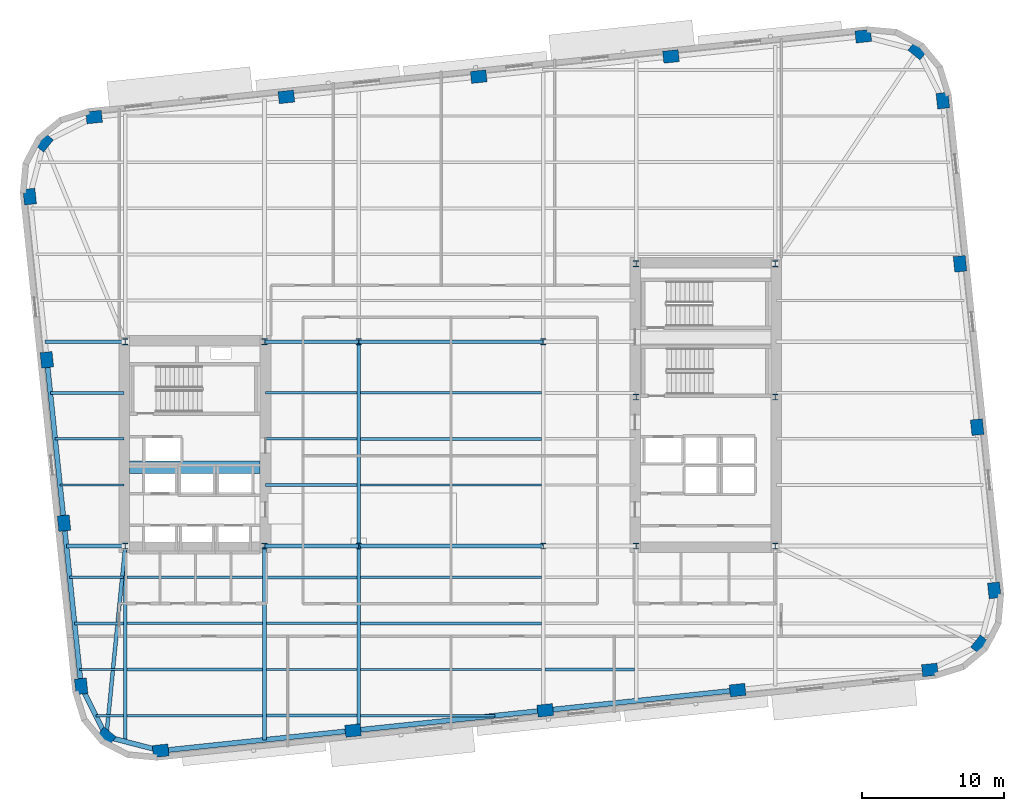
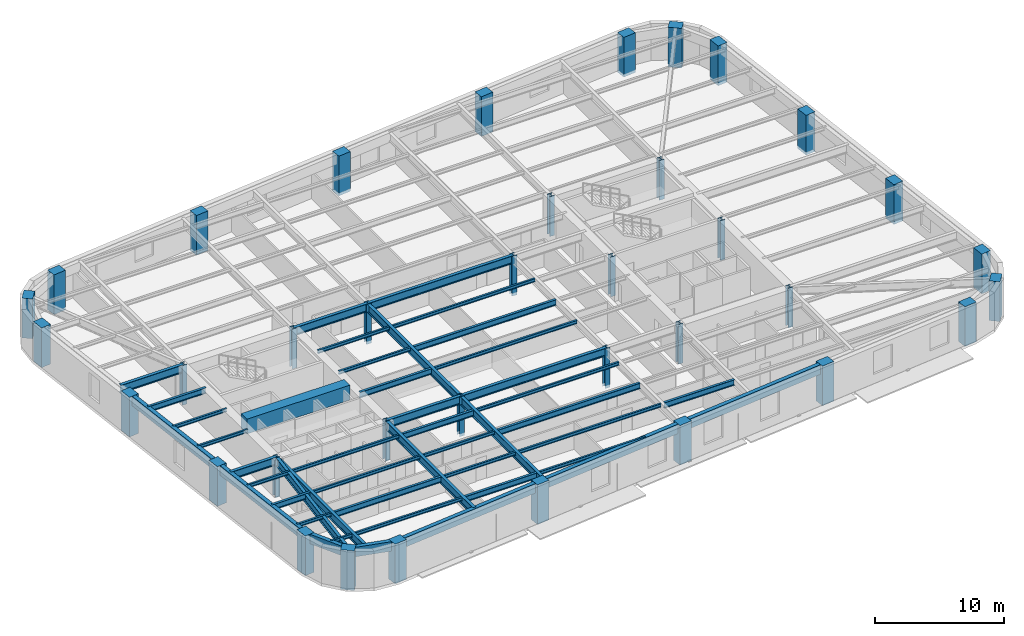
# One storey, part 1 of 11: 45 beams, 36 columns.
"""IFC4 building model written with IfcOpenShell, lengths in metres."""

from ifc_helpers import new_model, si_unit, direction, frame, origin, origin_2d, place, context, subcontext, project, spatial, rectangle, hollow_rectangle, i_section, extrude, material, material_profile, profile_set, type_object, element, save


model = new_model("IFC4")

# Units and contexts
model_context = context("Model", 3, precision=1e-05, world=origin(), true_north=direction((0.0, 1.0)))
body_context = subcontext(model_context, "Body", "Model", "MODEL_VIEW")
ifc_project = project(units=[si_unit("LENGTHUNIT", "METRE"), si_unit("AREAUNIT", "SQUARE_METRE"), si_unit("VOLUMEUNIT", "CUBIC_METRE"), si_unit("PLANEANGLEUNIT", "RADIAN"), si_unit("MASSUNIT", "GRAM", prefix="KILO")], contexts=[model_context])

# Site, building, storey
site_placement = place(None, origin())
site = spatial("IfcSite", under=ifc_project, at=site_placement, CompositionType="ELEMENT")
building_placement = place(site_placement, origin())
building = spatial("IfcBuilding", under=site, at=building_placement, Name="Kolvaren Arena Tower", CompositionType="ELEMENT")
storey_placement = place(building_placement, frame((0.0, 0.0, 134.5)))
storey = spatial("IfcBuildingStorey", under=building, at=storey_placement, Name="L31", CompositionType="ELEMENT", Elevation=134.5)

# Columns
ifc_material_1 = material(Name="Precast concrete C70/85", Category="concrete")
ifc_material_profile_1 = material_profile(ifc_material_1, rectangle(XDim=1.10009765625, YDim=0.85009765625, at=origin_2d()), Name="RC-1100x850")
ifc_profile_set_1 = profile_set([ifc_material_profile_1], Name="Precast concrete C70/85")
column_type_1 = type_object("IfcColumnType", Name="EXCOL-Z2", PredefinedType="COLUMN", material=ifc_profile_set_1)
for number, where, z_axis, x_axis, name in (
    (1, (17.0458984375, 5.024658203125, -0.27001953125), (0.0, 0.0, 1.0), (0.994521895368, 0.104528463268, 0.0), "Exoskeleton Perimeter Column 01 (L31)"),
    (2, (30.59619140625, 6.44873046875, -0.27001953125), (0.0, 0.0, 1.0), (0.994521895368, 0.104528463268, 0.0), "Exoskeleton Perimeter Column 02 (L31)"),
    (3, (44.146728515625, 7.873046875, -0.27001953125), (0.0, 0.0, 1.0), (0.994521895368, 0.104528463268, 0.0), "Exoskeleton Perimeter Column 03 (L31)"),
    (4, (57.697021484375, 9.297119140625, -0.27001953125), (0.0, 0.0, 1.0), (0.994521895368, 0.104528463268, 0.0), "Exoskeleton Perimeter Column 04 (L31)"),
    (5, (71.247314453125, 10.721435546875, -0.27001953125), (0.0, 0.0, 1.0), (0.994521895368, 0.104528463268, 0.0), "Exoskeleton Perimeter Column 05 (L31)"),
    (6, (74.790283203125, 12.49267578125, -0.27001953125), (0.0, 0.0, 1.0), (0.62932039105, 0.777145961457, 0.0), "Exoskeleton Perimeter Column 06 (L31)"),
    (7, (75.786376953125, 16.326416015625, -0.27001953125), (0.0, 0.0, 1.0), (-0.104528463268, 0.994521895368, 0.0), "Exoskeleton Perimeter Column 07 (L31)"),
    (8, (74.577392578125, 27.829833984375, -0.27001953125), (0.0, 0.0, 1.0), (-0.104528463268, 0.994521895368, 0.0), "Exoskeleton Perimeter Column 08 (L31)"),
    (9, (73.368408203125, 39.3330078125, -0.27001953125), (0.0, 0.0, 1.0), (-0.104528463268, 0.994521895368, 0.0), "Exoskeleton Perimeter Column 09 (L31)"),
    (10, (72.1591796875, 50.83642578125, -0.27001953125), (0.0, 0.0, 1.0), (-0.104528463268, 0.994521895368, 0.0), "Exoskeleton Perimeter Column 10 (L31)"),
    (11, (70.387939453125, 54.37939453125, -0.27001953125), (0.0, 0.0, 1.0), (-0.777145961457, 0.62932039105, 0.0), "Exoskeleton Perimeter Column 11 (L31)"),
    (12, (66.55419921875, 55.37548828125, -0.27001953125), (0.0, 0.0, 1.0), (0.994521895368, 0.104528463268, 0.0), "Exoskeleton Perimeter Column 12 (L31)"),
    (13, (53.003662109375, 53.951171875, -0.27001953125), (0.0, 0.0, 1.0), (0.994521895368, 0.104528463268, 0.0), "Exoskeleton Perimeter Column 13 (L31)"),
    (14, (39.453369140625, 52.527099609375, -0.27001953125), (0.0, 0.0, 1.0), (0.994521895368, 0.104528463268, 0.0), "Exoskeleton Perimeter Column 14 (L31)"),
    (15, (25.903076171875, 51.102783203125, -0.27001953125), (0.0, 0.0, 1.0), (0.994521895368, 0.104528463268, 0.0), "Exoskeleton Perimeter Column 15 (L31)"),
    (16, (12.3525390625, 49.6787109375, -0.27001953125), (0.0, 0.0, 1.0), (0.994521895368, 0.104528463268, 0.0), "Exoskeleton Perimeter Column 16 (L31)"),
    (17, (8.8095703125, 47.9072265625, -0.27001953125), (0.0, 0.0, 1.0), (0.62932039105, 0.777145961457, 0.0), "Exoskeleton Perimeter Column 17 (L31)"),
    (18, (7.813720703125, 44.073486328125, -0.27001953125), (0.0, 0.0, 1.0), (-0.104528463268, 0.994521895368, 0.0), "Exoskeleton Perimeter Column 18 (L31)"),
    (19, (9.022705078125, 32.5703125, -0.27001953125), (0.0, 0.0, 1.0), (-0.104528463268, 0.994521895368, 0.0), "Exoskeleton Perimeter Column 19 (L31)"),
    (20, (10.231689453125, 21.06689453125, -0.27001953125), (0.0, 0.0, 1.0), (-0.104528463268, 0.994521895368, 0.0), "Exoskeleton Perimeter Column 20 (L31)"),
    (21, (11.44091796875, 9.5634765625, -0.27001953125), (0.0, 0.0, 1.0), (-0.104528463268, 0.994521895368, 0.0), "Exoskeleton Perimeter Column 21 (L31)"),
    (22, (13.212158203125, 6.0205078125, -0.27001953125), (0.0, 0.0, 1.0), (-0.777145961457, 0.62932039105, 0.0), "Exoskeleton Perimeter Column 22 (L31)"),
):
    element("IfcColumn", number, at=place(storey_placement, frame(where, z_axis=z_axis, x_axis=x_axis)), inside=storey, type_object=column_type_1, Name=name, PredefinedType="COLUMN", context=body_context, shape_type="SweptSolid", body=[
        extrude(rectangle(XDim=1.10009765625, YDim=0.85009765625, at=origin_2d()), origin(), (0.0, 0.0, 1.0), 3.75),
    ])
ifc_material_2 = material(Name="Steel ASTM A913 Grade 65", Category="steel")
ifc_material_profile_2 = material_profile(ifc_material_2, i_section(OverallWidth=0.416015625, OverallDepth=0.446044921875, WebThickness=0.0390625, FlangeThickness=0.062744140625, FilletRadius=0.02001953125, at=origin_2d()), Name="W360x509")
ifc_profile_set_2 = profile_set([ifc_material_profile_2], Name="Steel ASTM A913 Grade 65")
column_type_2 = type_object("IfcColumnType", Name="SCOL-Z2", PredefinedType="COLUMN", material=ifc_profile_set_2)
for number, where, z_axis, x_axis, name in (
    (23, (14.550048828125, 19.449951171875, -0.27001953125), (0.0, 0.0, 1.0), (1.0, 0.0, 0.0), "Core Boundary Column WC-SW (L31)"),
    (24, (24.35009765625, 19.449951171875, -0.27001953125), (0.0, 0.0, 1.0), (1.0, 0.0, 0.0), "Core Boundary Column WC-SE (L31)"),
    (25, (14.550048828125, 33.85009765625, -0.27001953125), (0.0, 0.0, 1.0), (1.0, 0.0, 0.0), "Core Boundary Column WC-NW (L31)"),
    (26, (24.35009765625, 33.85009765625, -0.27001953125), (0.0, 0.0, 1.0), (1.0, 0.0, 0.0), "Core Boundary Column WC-NE (L31)"),
    (27, (50.550048828125, 19.449951171875, -0.27001953125), (0.0, 0.0, 1.0), (1.0, 0.0, 0.0), "Core Boundary Column EC-SW (L31)"),
    (28, (60.35009765625, 19.449951171875, -0.27001953125), (0.0, 0.0, 1.0), (1.0, 0.0, 0.0), "Core Boundary Column EC-SE (L31)"),
    (29, (50.550048828125, 29.949951171875, -0.27001953125), (0.0, 0.0, 1.0), (1.0, 0.0, 0.0), "Core Boundary Column EC-MW (L31)"),
    (30, (60.35009765625, 29.949951171875, -0.27001953125), (0.0, 0.0, 1.0), (1.0, 0.0, 0.0), "Core Boundary Column EC-ME (L31)"),
    (31, (50.550048828125, 39.35009765625, -0.27001953125), (0.0, 0.0, 1.0), (1.0, 0.0, 0.0), "Core Boundary Column EC-NW (L31)"),
    (32, (60.35009765625, 39.35009765625, -0.27001953125), (0.0, 0.0, 1.0), (1.0, 0.0, 0.0), "Core Boundary Column EC-NE (L31)"),
    (33, (31.0, 19.449951171875, -0.27001953125), (0.0, 0.0, 1.0), (1.0, 0.0, 0.0), "Interior Gravity Column TC-SW (L31)"),
    (34, (44.0, 19.449951171875, -0.27001953125), (0.0, 0.0, 1.0), (1.0, 0.0, 0.0), "Interior Gravity Column TC-SE (L31)"),
    (35, (31.0, 33.85009765625, -0.27001953125), (0.0, 0.0, 1.0), (1.0, 0.0, 0.0), "Interior Gravity Column TC-NW (L31)"),
    (36, (44.0, 33.85009765625, -0.27001953125), (0.0, 0.0, 1.0), (1.0, 0.0, 0.0), "Interior Gravity Column TC-NE (L31)"),
):
    element("IfcColumn", number, at=place(storey_placement, frame(where, z_axis=z_axis, x_axis=x_axis)), inside=storey, type_object=column_type_2, Name=name, PredefinedType="COLUMN", context=body_context, shape_type="SweptSolid", body=[
        extrude(i_section(OverallWidth=0.416015625, OverallDepth=0.446044921875, WebThickness=0.0390625, FlangeThickness=0.062744140625, FilletRadius=0.02001953125, at=origin_2d()), origin(), (0.0, 0.0, 1.0), 3.75),
    ])

# Beams
ifc_material_3 = material(Name="Steel CSA G40.21 350W", Category="steel")
ifc_material_profile_3 = material_profile(ifc_material_3, i_section(OverallWidth=0.2119140625, OverallDepth=0.54296875, WebThickness=0.01318359375, FlangeThickness=0.0244140625, FilletRadius=0.013916015625, at=origin_2d()), Name="W530x150")
ifc_profile_set_3 = profile_set([ifc_material_profile_3], Name="Steel CSA G40.21 350W")
beam_type_1 = type_object("IfcBeamType", Name="BEAM-F1", PredefinedType="BEAM", material=ifc_profile_set_3)
beam_1_placement = place(storey_placement, frame((24.485107421875, 7.5, 3.20849609375), z_axis=(1.0, 0.0, 0.0), x_axis=(0.0, 1.0, 0.0)))
element("IfcBeam", 37, at=beam_1_placement, inside=storey, type_object=beam_type_1, Name="Composite Floor Beam (L31)", PredefinedType="BEAM", context=body_context, shape_type="SweptSolid", body=[
    extrude(i_section(OverallWidth=0.2119140625, OverallDepth=0.54296875, WebThickness=0.01318359375, FlangeThickness=0.0244140625, FilletRadius=0.013916015625, at=origin_2d()), origin(), (0.0, 0.0, 1.0), 6.3798828125),
])
beam_2_placement = place(storey_placement, frame((14.68505859375, 10.75, 3.20849609375), z_axis=(1.0, 0.0, 0.0), x_axis=(0.0, 1.0, 0.0)))
element("IfcBeam", 38, at=beam_2_placement, inside=storey, type_object=beam_type_1, Name="Composite Floor Beam (L31)", PredefinedType="BEAM", context=body_context, shape_type="SweptSolid", body=[
    extrude(i_section(OverallWidth=0.2119140625, OverallDepth=0.54296875, WebThickness=0.01318359375, FlangeThickness=0.0244140625, FilletRadius=0.013916015625, at=origin_2d()), origin(), (0.0, 0.0, 1.0), 9.530029296875),
])
beam_3_placement = place(storey_placement, frame((44.135009765625, 10.75, 3.20849609375), z_axis=(1.0, 0.0, 0.0), x_axis=(0.0, 1.0, 0.0)))
element("IfcBeam", 39, at=beam_3_placement, inside=storey, type_object=beam_type_1, Name="Composite Floor Beam (L31)", PredefinedType="BEAM", context=body_context, shape_type="SweptSolid", body=[
    extrude(i_section(OverallWidth=0.2119140625, OverallDepth=0.54296875, WebThickness=0.01318359375, FlangeThickness=0.0244140625, FilletRadius=0.013916015625, at=origin_2d()), origin(), (0.0, 0.0, 1.0), 6.280029296875),
])
beam_4_placement = place(storey_placement, frame((10.974609375, 14.0, 3.20849609375), z_axis=(1.0, 0.0, 0.0), x_axis=(0.0, 1.0, 0.0)))
element("IfcBeam", 40, at=beam_4_placement, inside=storey, type_object=beam_type_1, Name="Composite Floor Beam (L31)", PredefinedType="BEAM", context=body_context, shape_type="SweptSolid", body=[
    extrude(i_section(OverallWidth=0.2119140625, OverallDepth=0.54296875, WebThickness=0.01318359375, FlangeThickness=0.0244140625, FilletRadius=0.013916015625, at=origin_2d()), origin(), (0.0, 0.0, 1.0), 3.4404296875),
])
beam_5_placement = place(storey_placement, frame((31.135009765625, 14.0, 3.20849609375), z_axis=(1.0, 0.0, 0.0), x_axis=(0.0, 1.0, 0.0)))
element("IfcBeam", 41, at=beam_5_placement, inside=storey, type_object=beam_type_1, Name="Composite Floor Beam (L31)", PredefinedType="BEAM", context=body_context, shape_type="SweptSolid", body=[
    extrude(i_section(OverallWidth=0.2119140625, OverallDepth=0.54296875, WebThickness=0.01318359375, FlangeThickness=0.0244140625, FilletRadius=0.013916015625, at=origin_2d()), origin(), (0.0, 0.0, 1.0), 12.72998046875),
])
beam_6_placement = place(storey_placement, frame((24.485107421875, 17.25, 3.20849609375), z_axis=(1.0, 0.0, 0.0), x_axis=(0.0, 1.0, 0.0)))
element("IfcBeam", 42, at=beam_6_placement, inside=storey, type_object=beam_type_1, Name="Composite Floor Beam (L31)", PredefinedType="BEAM", context=body_context, shape_type="SweptSolid", body=[
    extrude(i_section(OverallWidth=0.2119140625, OverallDepth=0.54296875, WebThickness=0.01318359375, FlangeThickness=0.0244140625, FilletRadius=0.013916015625, at=origin_2d()), origin(), (0.0, 0.0, 1.0), 6.3798828125),
])
beam_7_placement = place(storey_placement, frame((24.445068359375, 23.75, 3.20849609375), z_axis=(1.0, 0.0, 0.0), x_axis=(0.0, 1.0, 0.0)))
element("IfcBeam", 43, at=beam_7_placement, inside=storey, type_object=beam_type_1, Name="Composite Floor Beam (L31)", PredefinedType="BEAM", context=body_context, shape_type="SweptSolid", body=[
    extrude(i_section(OverallWidth=0.2119140625, OverallDepth=0.54296875, WebThickness=0.01318359375, FlangeThickness=0.0244140625, FilletRadius=0.013916015625, at=origin_2d()), origin(), (0.0, 0.0, 1.0), 6.419921875),
])
beam_8_placement = place(storey_placement, frame((31.135009765625, 27.0, 3.20849609375), z_axis=(1.0, 0.0, 0.0), x_axis=(0.0, 1.0, 0.0)))
element("IfcBeam", 44, at=beam_8_placement, inside=storey, type_object=beam_type_1, Name="Composite Floor Beam (L31)", PredefinedType="BEAM", context=body_context, shape_type="SweptSolid", body=[
    extrude(i_section(OverallWidth=0.2119140625, OverallDepth=0.54296875, WebThickness=0.01318359375, FlangeThickness=0.0244140625, FilletRadius=0.013916015625, at=origin_2d()), origin(), (0.0, 0.0, 1.0), 12.72998046875),
])
beam_9_placement = place(storey_placement, frame((9.2666015625, 30.25, 3.20849609375), z_axis=(1.0, 0.0, 0.0), x_axis=(0.0, 1.0, 0.0)))
element("IfcBeam", 45, at=beam_9_placement, inside=storey, type_object=beam_type_1, Name="Composite Floor Beam (L31)", PredefinedType="BEAM", context=body_context, shape_type="SweptSolid", body=[
    extrude(i_section(OverallWidth=0.2119140625, OverallDepth=0.54296875, WebThickness=0.01318359375, FlangeThickness=0.0244140625, FilletRadius=0.013916015625, at=origin_2d()), origin(), (0.0, 0.0, 1.0), 5.1884765625),
])
ifc_material_4 = material(Name="Concrete 75 MPa", Category="concrete")
ifc_material_profile_4 = material_profile(ifc_material_4, rectangle(XDim=0.89990234375, YDim=1.39990234375, at=origin_2d()), Name="RC-900x1400")
ifc_profile_set_4 = profile_set([ifc_material_profile_4], Name="Concrete 75 MPa")
beam_type_2 = type_object("IfcBeamType", Name="CB-CORE-1", PredefinedType="BEAM", material=ifc_profile_set_4)
beam_10_placement = place(storey_placement, frame((14.85009765625, 25.0, 3.050048828125), z_axis=(1.0, 0.0, 0.0), x_axis=(0.0, 1.0, 0.0)))
element("IfcBeam", 46, at=beam_10_placement, inside=storey, type_object=beam_type_2, Name="West Core Coupling Beam (L31)", PredefinedType="BEAM", context=body_context, shape_type="SweptSolid", body=[
    extrude(rectangle(XDim=0.89990234375, YDim=1.39990234375, at=origin_2d()), origin(), (0.0, 0.0, 1.0), 9.199951171875),
])
ifc_material_profile_5 = material_profile(ifc_material_3, i_section(OverallWidth=0.27001953125, OverallDepth=0.77294921875, WebThickness=0.019287109375, FlangeThickness=0.033447265625, FilletRadius=0.01806640625, at=origin_2d()), Name="W760x257")
ifc_profile_set_5 = profile_set([ifc_material_profile_5], Name="Steel CSA G40.21 350W")
beam_type_3 = type_object("IfcBeamType", Name="GIRD-T1", PredefinedType="BEAM", material=ifc_profile_set_5)
beam_11_placement = place(storey_placement, frame((13.212158203125, 6.0205078125, 3.093505859375), z_axis=(0.099132957575, 0.995074196592, 0.0), x_axis=(-0.995074196592, 0.099132957575, 0.0)))
element("IfcBeam", 47, at=beam_11_placement, inside=storey, type_object=beam_type_3, Name="Corner Diagonal Tie Girder (L31)", PredefinedType="BEAM", context=body_context, shape_type="SweptSolid", body=[
    extrude(i_section(OverallWidth=0.27001953125, OverallDepth=0.77294921875, WebThickness=0.019287109375, FlangeThickness=0.033447265625, FilletRadius=0.01806640625, at=origin_2d()), origin(), (0.0, 0.0, 1.0), 13.495849609375),
])
beam_12_placement = place(storey_placement, frame((10.401611328125, 19.449951171875, 3.093505859375), z_axis=(1.0, 0.0, 0.0), x_axis=(0.0, 1.0, 0.0)))
element("IfcBeam", 48, at=beam_12_placement, inside=storey, type_object=beam_type_3, Name="Primary Floor Girder (L31)", PredefinedType="BEAM", context=body_context, shape_type="SweptSolid", body=[
    extrude(i_section(OverallWidth=0.27001953125, OverallDepth=0.77294921875, WebThickness=0.019287109375, FlangeThickness=0.033447265625, FilletRadius=0.01806640625, at=origin_2d()), origin(), (0.0, 0.0, 1.0), 4.093505859375),
])
beam_13_placement = place(storey_placement, frame((24.405029296875, 19.449951171875, 3.093505859375), z_axis=(1.0, 0.0, 0.0), x_axis=(0.0, 1.0, 0.0)))
element("IfcBeam", 49, at=beam_13_placement, inside=storey, type_object=beam_type_3, Name="Primary Floor Girder (L31)", PredefinedType="BEAM", context=body_context, shape_type="SweptSolid", body=[
    extrude(i_section(OverallWidth=0.27001953125, OverallDepth=0.77294921875, WebThickness=0.019287109375, FlangeThickness=0.033447265625, FilletRadius=0.01806640625, at=origin_2d()), origin(), (0.0, 0.0, 1.0), 6.594970703125),
])
beam_14_placement = place(storey_placement, frame((31.0, 19.449951171875, 3.093505859375), z_axis=(1.0, 0.0, 0.0), x_axis=(0.0, 1.0, 0.0)))
element("IfcBeam", 50, at=beam_14_placement, inside=storey, type_object=beam_type_3, Name="Primary Floor Girder (L31)", PredefinedType="BEAM", context=body_context, shape_type="SweptSolid", body=[
    extrude(i_section(OverallWidth=0.27001953125, OverallDepth=0.77294921875, WebThickness=0.019287109375, FlangeThickness=0.033447265625, FilletRadius=0.01806640625, at=origin_2d()), origin(), (0.0, 0.0, 1.0), 13.0),
])
beam_15_placement = place(storey_placement, frame((8.88818359375, 33.85009765625, 3.093505859375), z_axis=(1.0, 0.0, 0.0), x_axis=(0.0, 1.0, 0.0)))
element("IfcBeam", 51, at=beam_15_placement, inside=storey, type_object=beam_type_3, Name="Primary Floor Girder (L31)", PredefinedType="BEAM", context=body_context, shape_type="SweptSolid", body=[
    extrude(i_section(OverallWidth=0.27001953125, OverallDepth=0.77294921875, WebThickness=0.019287109375, FlangeThickness=0.033447265625, FilletRadius=0.01806640625, at=origin_2d()), origin(), (0.0, 0.0, 1.0), 5.60693359375),
])
beam_16_placement = place(storey_placement, frame((24.405029296875, 33.85009765625, 3.093505859375), z_axis=(1.0, 0.0, 0.0), x_axis=(0.0, 1.0, 0.0)))
element("IfcBeam", 52, at=beam_16_placement, inside=storey, type_object=beam_type_3, Name="Primary Floor Girder (L31)", PredefinedType="BEAM", context=body_context, shape_type="SweptSolid", body=[
    extrude(i_section(OverallWidth=0.27001953125, OverallDepth=0.77294921875, WebThickness=0.019287109375, FlangeThickness=0.033447265625, FilletRadius=0.01806640625, at=origin_2d()), origin(), (0.0, 0.0, 1.0), 6.594970703125),
])
beam_17_placement = place(storey_placement, frame((31.0, 33.85009765625, 3.093505859375), z_axis=(1.0, 0.0, 0.0), x_axis=(0.0, 1.0, 0.0)))
element("IfcBeam", 53, at=beam_17_placement, inside=storey, type_object=beam_type_3, Name="Primary Floor Girder (L31)", PredefinedType="BEAM", context=body_context, shape_type="SweptSolid", body=[
    extrude(i_section(OverallWidth=0.27001953125, OverallDepth=0.77294921875, WebThickness=0.019287109375, FlangeThickness=0.033447265625, FilletRadius=0.01806640625, at=origin_2d()), origin(), (0.0, 0.0, 1.0), 13.0),
])
beam_18_placement = place(storey_placement, frame((14.550048828125, 5.673095703125, 3.093505859375), z_axis=(0.0, 1.0, 0.0), x_axis=(-1.0, 0.0, 0.0)))
element("IfcBeam", 54, at=beam_18_placement, inside=storey, type_object=beam_type_3, Name="Primary Floor Girder (L31)", PredefinedType="BEAM", context=body_context, shape_type="SweptSolid", body=[
    extrude(i_section(OverallWidth=0.27001953125, OverallDepth=0.77294921875, WebThickness=0.019287109375, FlangeThickness=0.033447265625, FilletRadius=0.01806640625, at=origin_2d()), origin(), (0.0, 0.0, 1.0), 13.721923828125),
])
beam_19_placement = place(storey_placement, frame((24.35009765625, 5.792236328125, 3.093505859375), z_axis=(0.0, 1.0, 0.0), x_axis=(-1.0, 0.0, 0.0)))
element("IfcBeam", 55, at=beam_19_placement, inside=storey, type_object=beam_type_3, Name="Primary Floor Girder (L31)", PredefinedType="BEAM", context=body_context, shape_type="SweptSolid", body=[
    extrude(i_section(OverallWidth=0.27001953125, OverallDepth=0.77294921875, WebThickness=0.019287109375, FlangeThickness=0.033447265625, FilletRadius=0.01806640625, at=origin_2d()), origin(), (0.0, 0.0, 1.0), 13.602783203125),
])
beam_20_placement = place(storey_placement, frame((31.0, 6.4912109375, 3.093505859375), z_axis=(0.0, 1.0, 0.0), x_axis=(-1.0, 0.0, 0.0)))
element("IfcBeam", 56, at=beam_20_placement, inside=storey, type_object=beam_type_3, Name="Primary Floor Girder (L31)", PredefinedType="BEAM", context=body_context, shape_type="SweptSolid", body=[
    extrude(i_section(OverallWidth=0.27001953125, OverallDepth=0.77294921875, WebThickness=0.019287109375, FlangeThickness=0.033447265625, FilletRadius=0.01806640625, at=origin_2d()), origin(), (0.0, 0.0, 1.0), 12.958740234375),
])
beam_21_placement = place(storey_placement, frame((31.0, 19.449951171875, 3.093505859375), z_axis=(0.0, 1.0, 0.0), x_axis=(-1.0, 0.0, 0.0)))
element("IfcBeam", 57, at=beam_21_placement, inside=storey, type_object=beam_type_3, Name="Primary Floor Girder (L31)", PredefinedType="BEAM", context=body_context, shape_type="SweptSolid", body=[
    extrude(i_section(OverallWidth=0.27001953125, OverallDepth=0.77294921875, WebThickness=0.019287109375, FlangeThickness=0.033447265625, FilletRadius=0.01806640625, at=origin_2d()), origin(), (0.0, 0.0, 1.0), 14.400146484375),
])
ifc_material_profile_6 = material_profile(ifc_material_3, i_section(OverallWidth=0.1669921875, OverallDepth=0.31689453125, WebThickness=0.007568359375, FlangeThickness=0.01318359375, FilletRadius=0.010009765625, at=origin_2d()), Name="W310x52")
ifc_profile_set_6 = profile_set([ifc_material_profile_6], Name="Steel CSA G40.21 350W")
beam_type_4 = type_object("IfcBeamType", Name="JOIST-02", PredefinedType="JOIST", material=ifc_profile_set_6)
beam_22_placement = place(storey_placement, frame((12.472412109375, 7.5, 3.321533203125), z_axis=(1.0, 0.0, 0.0), x_axis=(0.0, 1.0, 0.0)))
element("IfcBeam", 58, at=beam_22_placement, inside=storey, type_object=beam_type_4, Name="Composite Floor Joist (L31)", PredefinedType="JOIST", context=body_context, shape_type="SweptSolid", body=[
    extrude(i_section(OverallWidth=0.1669921875, OverallDepth=0.31689453125, WebThickness=0.007568359375, FlangeThickness=0.01318359375, FilletRadius=0.010009765625, at=origin_2d()), origin(), (0.0, 0.0, 1.0), 1.942626953125),
])
beam_23_placement = place(storey_placement, frame((14.68505859375, 7.5, 3.321533203125), z_axis=(1.0, 0.0, 0.0), x_axis=(0.0, 1.0, 0.0)))
element("IfcBeam", 59, at=beam_23_placement, inside=storey, type_object=beam_type_4, Name="Composite Floor Joist (L31)", PredefinedType="JOIST", context=body_context, shape_type="SweptSolid", body=[
    extrude(i_section(OverallWidth=0.1669921875, OverallDepth=0.31689453125, WebThickness=0.007568359375, FlangeThickness=0.01318359375, FilletRadius=0.010009765625, at=origin_2d()), origin(), (0.0, 0.0, 1.0), 9.530029296875),
])
beam_24_placement = place(storey_placement, frame((31.135009765625, 7.5, 3.321533203125), z_axis=(1.0, 0.0, 0.0), x_axis=(0.0, 1.0, 0.0)))
element("IfcBeam", 60, at=beam_24_placement, inside=storey, type_object=beam_type_4, Name="Composite Floor Joist (L31)", PredefinedType="JOIST", context=body_context, shape_type="SweptSolid", body=[
    extrude(i_section(OverallWidth=0.1669921875, OverallDepth=0.31689453125, WebThickness=0.007568359375, FlangeThickness=0.01318359375, FilletRadius=0.010009765625, at=origin_2d()), origin(), (0.0, 0.0, 1.0), 9.462890625),
])
beam_25_placement = place(storey_placement, frame((11.316162109375, 10.75, 3.321533203125), z_axis=(1.0, 0.0, 0.0), x_axis=(0.0, 1.0, 0.0)))
element("IfcBeam", 61, at=beam_25_placement, inside=storey, type_object=beam_type_4, Name="Composite Floor Joist (L31)", PredefinedType="JOIST", context=body_context, shape_type="SweptSolid", body=[
    extrude(i_section(OverallWidth=0.1669921875, OverallDepth=0.31689453125, WebThickness=0.007568359375, FlangeThickness=0.01318359375, FilletRadius=0.010009765625, at=origin_2d()), origin(), (0.0, 0.0, 1.0), 3.098876953125),
])
beam_26_placement = place(storey_placement, frame((24.485107421875, 10.75, 3.321533203125), z_axis=(1.0, 0.0, 0.0), x_axis=(0.0, 1.0, 0.0)))
element("IfcBeam", 62, at=beam_26_placement, inside=storey, type_object=beam_type_4, Name="Composite Floor Joist (L31)", PredefinedType="JOIST", context=body_context, shape_type="SweptSolid", body=[
    extrude(i_section(OverallWidth=0.1669921875, OverallDepth=0.31689453125, WebThickness=0.007568359375, FlangeThickness=0.01318359375, FilletRadius=0.010009765625, at=origin_2d()), origin(), (0.0, 0.0, 1.0), 6.3798828125),
])
beam_27_placement = place(storey_placement, frame((31.135009765625, 10.75, 3.321533203125), z_axis=(1.0, 0.0, 0.0), x_axis=(0.0, 1.0, 0.0)))
element("IfcBeam", 63, at=beam_27_placement, inside=storey, type_object=beam_type_4, Name="Composite Floor Joist (L31)", PredefinedType="JOIST", context=body_context, shape_type="SweptSolid", body=[
    extrude(i_section(OverallWidth=0.1669921875, OverallDepth=0.31689453125, WebThickness=0.007568359375, FlangeThickness=0.01318359375, FilletRadius=0.010009765625, at=origin_2d()), origin(), (0.0, 0.0, 1.0), 12.72998046875),
])
beam_28_placement = place(storey_placement, frame((14.68505859375, 14.0, 3.321533203125), z_axis=(1.0, 0.0, 0.0), x_axis=(0.0, 1.0, 0.0)))
element("IfcBeam", 64, at=beam_28_placement, inside=storey, type_object=beam_type_4, Name="Composite Floor Joist (L31)", PredefinedType="JOIST", context=body_context, shape_type="SweptSolid", body=[
    extrude(i_section(OverallWidth=0.1669921875, OverallDepth=0.31689453125, WebThickness=0.007568359375, FlangeThickness=0.01318359375, FilletRadius=0.010009765625, at=origin_2d()), origin(), (0.0, 0.0, 1.0), 9.530029296875),
])
beam_29_placement = place(storey_placement, frame((24.485107421875, 14.0, 3.321533203125), z_axis=(1.0, 0.0, 0.0), x_axis=(0.0, 1.0, 0.0)))
element("IfcBeam", 65, at=beam_29_placement, inside=storey, type_object=beam_type_4, Name="Composite Floor Joist (L31)", PredefinedType="JOIST", context=body_context, shape_type="SweptSolid", body=[
    extrude(i_section(OverallWidth=0.1669921875, OverallDepth=0.31689453125, WebThickness=0.007568359375, FlangeThickness=0.01318359375, FilletRadius=0.010009765625, at=origin_2d()), origin(), (0.0, 0.0, 1.0), 6.3798828125),
])
beam_30_placement = place(storey_placement, frame((10.6328125, 17.25, 3.321533203125), z_axis=(1.0, 0.0, 0.0), x_axis=(0.0, 1.0, 0.0)))
element("IfcBeam", 66, at=beam_30_placement, inside=storey, type_object=beam_type_4, Name="Composite Floor Joist (L31)", PredefinedType="JOIST", context=body_context, shape_type="SweptSolid", body=[
    extrude(i_section(OverallWidth=0.1669921875, OverallDepth=0.31689453125, WebThickness=0.007568359375, FlangeThickness=0.01318359375, FilletRadius=0.010009765625, at=origin_2d()), origin(), (0.0, 0.0, 1.0), 3.7822265625),
])
beam_31_placement = place(storey_placement, frame((14.68505859375, 17.25, 3.321533203125), z_axis=(1.0, 0.0, 0.0), x_axis=(0.0, 1.0, 0.0)))
element("IfcBeam", 67, at=beam_31_placement, inside=storey, type_object=beam_type_4, Name="Composite Floor Joist (L31)", PredefinedType="JOIST", context=body_context, shape_type="SweptSolid", body=[
    extrude(i_section(OverallWidth=0.1669921875, OverallDepth=0.31689453125, WebThickness=0.007568359375, FlangeThickness=0.01318359375, FilletRadius=0.010009765625, at=origin_2d()), origin(), (0.0, 0.0, 1.0), 9.530029296875),
])
beam_32_placement = place(storey_placement, frame((31.135009765625, 17.25, 3.321533203125), z_axis=(1.0, 0.0, 0.0), x_axis=(0.0, 1.0, 0.0)))
element("IfcBeam", 68, at=beam_32_placement, inside=storey, type_object=beam_type_4, Name="Composite Floor Joist (L31)", PredefinedType="JOIST", context=body_context, shape_type="SweptSolid", body=[
    extrude(i_section(OverallWidth=0.1669921875, OverallDepth=0.31689453125, WebThickness=0.007568359375, FlangeThickness=0.01318359375, FilletRadius=0.010009765625, at=origin_2d()), origin(), (0.0, 0.0, 1.0), 12.72998046875),
])
beam_33_placement = place(storey_placement, frame((9.94970703125, 23.75, 3.321533203125), z_axis=(1.0, 0.0, 0.0), x_axis=(0.0, 1.0, 0.0)))
element("IfcBeam", 69, at=beam_33_placement, inside=storey, type_object=beam_type_4, Name="Composite Floor Joist (L31)", PredefinedType="JOIST", context=body_context, shape_type="SweptSolid", body=[
    extrude(i_section(OverallWidth=0.1669921875, OverallDepth=0.31689453125, WebThickness=0.007568359375, FlangeThickness=0.01318359375, FilletRadius=0.010009765625, at=origin_2d()), origin(), (0.0, 0.0, 1.0), 4.50537109375),
])
beam_34_placement = place(storey_placement, frame((31.135009765625, 23.75, 3.321533203125), z_axis=(1.0, 0.0, 0.0), x_axis=(0.0, 1.0, 0.0)))
element("IfcBeam", 70, at=beam_34_placement, inside=storey, type_object=beam_type_4, Name="Composite Floor Joist (L31)", PredefinedType="JOIST", context=body_context, shape_type="SweptSolid", body=[
    extrude(i_section(OverallWidth=0.1669921875, OverallDepth=0.31689453125, WebThickness=0.007568359375, FlangeThickness=0.01318359375, FilletRadius=0.010009765625, at=origin_2d()), origin(), (0.0, 0.0, 1.0), 12.72998046875),
])
beam_35_placement = place(storey_placement, frame((9.608154296875, 27.0, 3.321533203125), z_axis=(1.0, 0.0, 0.0), x_axis=(0.0, 1.0, 0.0)))
element("IfcBeam", 71, at=beam_35_placement, inside=storey, type_object=beam_type_4, Name="Composite Floor Joist (L31)", PredefinedType="JOIST", context=body_context, shape_type="SweptSolid", body=[
    extrude(i_section(OverallWidth=0.1669921875, OverallDepth=0.31689453125, WebThickness=0.007568359375, FlangeThickness=0.01318359375, FilletRadius=0.010009765625, at=origin_2d()), origin(), (0.0, 0.0, 1.0), 4.846923828125),
])
for number, where, z_axis, x_axis, name in (
    (72, (24.445068359375, 27.0, 3.321533203125), (1.0, 0.0, 0.0), (0.0, 1.0, 0.0), "Composite Floor Joist (L31)"),
    (73, (24.445068359375, 30.25, 3.321533203125), (1.0, 0.0, 0.0), (0.0, 1.0, 0.0), "Composite Floor Joist (L31)"),
):
    element("IfcBeam", number, at=place(storey_placement, frame(where, z_axis=z_axis, x_axis=x_axis)), inside=storey, type_object=beam_type_4, Name=name, PredefinedType="JOIST", context=body_context, shape_type="SweptSolid", body=[
        extrude(i_section(OverallWidth=0.1669921875, OverallDepth=0.31689453125, WebThickness=0.007568359375, FlangeThickness=0.01318359375, FilletRadius=0.010009765625, at=origin_2d()), origin(), (0.0, 0.0, 1.0), 6.419921875),
    ])
beam_36_placement = place(storey_placement, frame((31.135009765625, 30.25, 3.321533203125), z_axis=(1.0, 0.0, 0.0), x_axis=(0.0, 1.0, 0.0)))
element("IfcBeam", 74, at=beam_36_placement, inside=storey, type_object=beam_type_4, Name="Composite Floor Joist (L31)", PredefinedType="JOIST", context=body_context, shape_type="SweptSolid", body=[
    extrude(i_section(OverallWidth=0.1669921875, OverallDepth=0.31689453125, WebThickness=0.007568359375, FlangeThickness=0.01318359375, FilletRadius=0.010009765625, at=origin_2d()), origin(), (0.0, 0.0, 1.0), 12.72998046875),
])
ifc_material_5 = material(Name="Steel CSA G40.21 350WT", Category="steel")
ifc_material_profile_7 = material_profile(ifc_material_5, hollow_rectangle(XDim=0.35009765625, YDim=0.89990234375, WallThickness=0.02001953125, at=origin_2d()), Name="HSS 900x350x20")
ifc_profile_set_7 = profile_set([ifc_material_profile_7], Name="Steel CSA G40.21 350WT")
beam_type_5 = type_object("IfcBeamType", Name="SPAND-01", PredefinedType="SPANDREL", material=ifc_profile_set_7)
beam_37_placement = place(storey_placement, frame((17.0458984375, 5.024658203125, 3.030029296875), z_axis=(0.994522817887, 0.104519685718, 0.0), x_axis=(-0.104519685718, 0.994522817887, 0.0)))
element("IfcBeam", 75, at=beam_37_placement, inside=storey, type_object=beam_type_5, Name="Perimeter Spandrel Beam (L31)", PredefinedType="SPANDREL", context=body_context, shape_type="SweptSolid", body=[
    extrude(hollow_rectangle(XDim=0.35009765625, YDim=0.89990234375, WallThickness=0.02001953125, at=origin_2d()), origin(), (0.0, 0.0, 1.0), 13.625),
])
beam_38_placement = place(storey_placement, frame((30.59619140625, 6.44873046875, 3.030029296875), z_axis=(0.994521150946, 0.104535545729, 0.0), x_axis=(-0.104535545729, 0.994521150946, 0.0)))
element("IfcBeam", 76, at=beam_38_placement, inside=storey, type_object=beam_type_5, Name="Perimeter Spandrel Beam (L31)", PredefinedType="SPANDREL", context=body_context, shape_type="SweptSolid", body=[
    extrude(hollow_rectangle(XDim=0.35009765625, YDim=0.89990234375, WallThickness=0.02001953125, at=origin_2d()), origin(), (0.0, 0.0, 1.0), 13.625244140625),
])
beam_39_placement = place(storey_placement, frame((44.146728515625, 7.873046875, 3.030029296875), z_axis=(0.994522817887, 0.104519685718, 0.0), x_axis=(-0.104519685718, 0.994522817887, 0.0)))
element("IfcBeam", 77, at=beam_39_placement, inside=storey, type_object=beam_type_5, Name="Perimeter Spandrel Beam (L31)", PredefinedType="SPANDREL", context=body_context, shape_type="SweptSolid", body=[
    extrude(hollow_rectangle(XDim=0.35009765625, YDim=0.89990234375, WallThickness=0.02001953125, at=origin_2d()), origin(), (0.0, 0.0, 1.0), 13.625),
])
for number, where, z_axis, x_axis, name in (
    (78, (9.022705078125, 32.5703125, 3.030029296875), (0.104522171998, -0.994522556587, 0.0), (0.994522556587, 0.104522171998, 0.0), "Perimeter Spandrel Beam (L31)"),
    (79, (10.231689453125, 21.06689453125, 3.030029296875), (0.104543048399, -0.994520362301, 0.0), (0.994520362301, 0.104543048399, 0.0), "Perimeter Spandrel Beam (L31)"),
):
    element("IfcBeam", number, at=place(storey_placement, frame(where, z_axis=z_axis, x_axis=x_axis)), inside=storey, type_object=beam_type_5, Name=name, PredefinedType="SPANDREL", context=body_context, shape_type="SweptSolid", body=[
        extrude(hollow_rectangle(XDim=0.35009765625, YDim=0.89990234375, WallThickness=0.02001953125, at=origin_2d()), origin(), (0.0, 0.0, 1.0), 11.56689453125),
    ])
for number, where, z_axis, x_axis, name in (
    (80, (11.44091796875, 9.5634765625, 3.030029296875), (0.44716428656, -0.894451843771, 0.0), (0.894451843771, 0.44716428656, 0.0), "Perimeter Spandrel Beam (L31)"),
    (81, (13.212158203125, 6.0205078125, 3.030029296875), (0.96787922294, -0.25141561169, 0.0), (0.25141561169, 0.96787922294, 0.0), "Perimeter Spandrel Beam (L31)"),
):
    element("IfcBeam", number, at=place(storey_placement, frame(where, z_axis=z_axis, x_axis=x_axis)), inside=storey, type_object=beam_type_5, Name=name, PredefinedType="SPANDREL", context=body_context, shape_type="SweptSolid", body=[
        extrude(hollow_rectangle(XDim=0.35009765625, YDim=0.89990234375, WallThickness=0.02001953125, at=origin_2d()), origin(), (0.0, 0.0, 1.0), 3.9609375),
    ])

save(model, "model.ifc")
